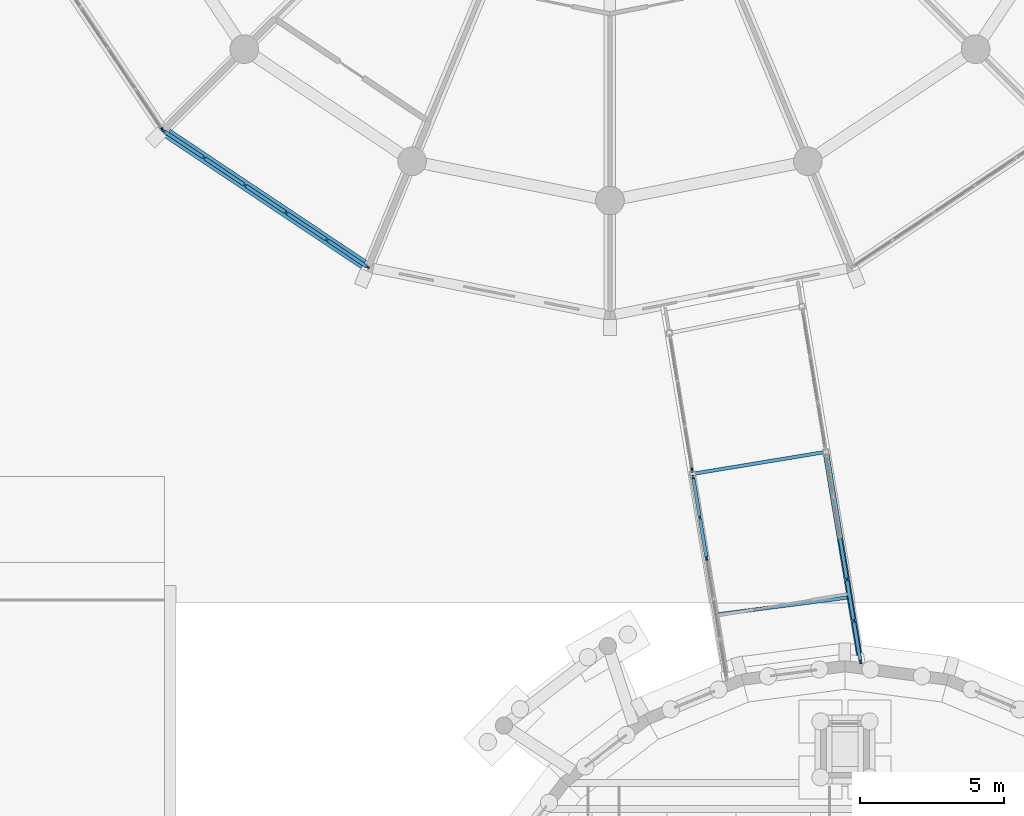
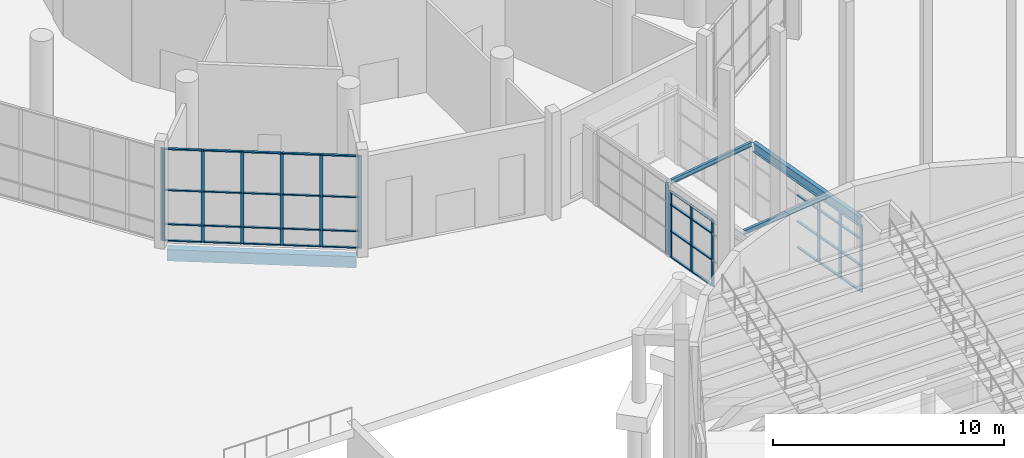
# One storey, part 61 of 226: 54 members, 4 beams, 5 elements without a shape of their own.
"""IFC4 building model written with IfcOpenShell, lengths in metres."""

from ifc_helpers import new_model, si_unit, direction, frame, origin, origin_2d, place, context, subcontext, project, spatial, rectangle, i_section, extrude, material, material_profile, profile_set, type_object, element, aggregate, save


model = new_model("IFC4")

# Units and contexts
model_context = context("Model", 3, precision=1e-05, world=origin(), true_north=direction((0.0, 1.0)))
body_context = subcontext(model_context, "Body", "Model", "MODEL_VIEW")
ifc_project = project(units=[si_unit("LENGTHUNIT", "METRE"), si_unit("AREAUNIT", "SQUARE_METRE"), si_unit("VOLUMEUNIT", "CUBIC_METRE"), si_unit("PLANEANGLEUNIT", "RADIAN"), si_unit("MASSUNIT", "GRAM", prefix="KILO")], contexts=[model_context])

# Site, building, storey
site_placement = place(None, origin())
site = spatial("IfcSite", under=ifc_project, at=site_placement, CompositionType="ELEMENT")
building_placement = place(site_placement, origin())
building = spatial("IfcBuilding", under=site, at=building_placement, Name="Ceibo Conservatory and Research Tower", CompositionType="ELEMENT")
storey_placement = place(building_placement, origin())
storey = spatial("IfcBuildingStorey", under=building, at=storey_placement, Name="L00", CompositionType="ELEMENT", Elevation=0.0)

# Curtain wall, member
ifc_material_1 = material(Name="Aluminium and glass", Category="aluminium")
curtain_wall_type_1 = type_object("IfcCurtainWallType", Name="Curtain wall CW1", PredefinedType="NOTDEFINED", material=ifc_material_1)
curtain_wall_1_placement = place(storey_placement, origin())
curtain_wall_1 = element("IfcCurtainWall", 1, at=curtain_wall_1_placement, inside=storey, type_object=curtain_wall_type_1, Name="CW-00.10", PredefinedType="NOTDEFINED")
ifc_material_2 = material(Name="Aluminium", Category="aluminium")
ifc_material_profile_1 = material_profile(ifc_material_2, rectangle(XDim=0.06005859375, YDim=0.159912109375, at=origin_2d()), Name="Aluminium 60 x 160")
ifc_profile_set_1 = profile_set([ifc_material_profile_1], Name="Aluminium")
member_type_1 = type_object("IfcMemberType", Name="Aluminium mullion 60 x 160", PredefinedType="MULLION", material=ifc_profile_set_1)
member_1_placement = place(storey_placement, frame((32.427001953125, 104.468505859375, 0.0), z_axis=(0.0, 0.0, 1.0), x_axis=(0.831469562724, 0.555570307219, 0.0)))
member_1 = element("IfcMember", 2, at=member_1_placement, type_object=member_type_1, Name="CW-00.10 mullion 6", PredefinedType="MULLION", context=body_context, shape_type="SweptSolid", body=[
    extrude(rectangle(XDim=0.06005859375, YDim=0.159912109375, at=origin_2d()), origin(), (0.0, 0.0, 1.0), 4.89990234375),
])
aggregate(curtain_wall_1, [member_1])

# Curtain wall, members
curtain_wall_2_placement = place(storey_placement, origin())
curtain_wall_2 = element("IfcCurtainWall", 3, at=curtain_wall_2_placement, inside=storey, type_object=curtain_wall_type_1, Name="CW-00.11", PredefinedType="NOTDEFINED")
member_2_placement = place(storey_placement, frame((32.468505859375, 104.427001953125, 0.0), z_axis=(0.0, 0.0, 1.0), x_axis=(0.555570307219, 0.831469562724, 0.0)))
member_2 = element("IfcMember", 4, at=member_2_placement, type_object=member_type_1, Name="CW-00.11 mullion 1", PredefinedType="MULLION", context=body_context, shape_type="SweptSolid", body=[
    extrude(rectangle(XDim=0.06005859375, YDim=0.159912109375, at=origin_2d()), origin(), (0.0, 0.0, 1.0), 4.89990234375),
])
member_3_placement = place(storey_placement, frame((33.87109375, 103.48974609375, 0.0), z_axis=(0.0, 0.0, 1.0), x_axis=(0.555570307219, 0.831469562724, 0.0)))
member_3 = element("IfcMember", 5, at=member_3_placement, type_object=member_type_1, Name="CW-00.11 mullion 2", PredefinedType="MULLION", context=body_context, shape_type="SweptSolid", body=[
    extrude(rectangle(XDim=0.06005859375, YDim=0.159912109375, at=origin_2d()), origin(), (0.0, 0.0, 1.0), 4.89990234375),
])
member_4_placement = place(storey_placement, frame((35.298583984375, 102.5361328125, 0.0), z_axis=(0.0, 0.0, 1.0), x_axis=(0.555570307219, 0.831469562724, 0.0)))
member_4 = element("IfcMember", 6, at=member_4_placement, type_object=member_type_1, Name="CW-00.11 mullion 3", PredefinedType="MULLION", context=body_context, shape_type="SweptSolid", body=[
    extrude(rectangle(XDim=0.06005859375, YDim=0.159912109375, at=origin_2d()), origin(), (0.0, 0.0, 1.0), 4.89990234375),
])
member_5_placement = place(storey_placement, frame((36.72607421875, 101.582275390625, 0.0), z_axis=(0.0, 0.0, 1.0), x_axis=(0.555570307219, 0.831469562724, 0.0)))
member_5 = element("IfcMember", 7, at=member_5_placement, type_object=member_type_1, Name="CW-00.11 mullion 4", PredefinedType="MULLION", context=body_context, shape_type="SweptSolid", body=[
    extrude(rectangle(XDim=0.06005859375, YDim=0.159912109375, at=origin_2d()), origin(), (0.0, 0.0, 1.0), 4.89990234375),
])
member_6_placement = place(storey_placement, frame((38.153564453125, 100.62841796875, 0.0), z_axis=(0.0, 0.0, 1.0), x_axis=(0.555570307219, 0.831469562724, 0.0)))
member_6 = element("IfcMember", 8, at=member_6_placement, type_object=member_type_1, Name="CW-00.11 mullion 5", PredefinedType="MULLION", context=body_context, shape_type="SweptSolid", body=[
    extrude(rectangle(XDim=0.06005859375, YDim=0.159912109375, at=origin_2d()), origin(), (0.0, 0.0, 1.0), 4.89990234375),
])
member_7_placement = place(storey_placement, frame((39.555908203125, 99.69140625, 0.0), z_axis=(0.0, 0.0, 1.0), x_axis=(0.555570307219, 0.831469562724, 0.0)))
member_7 = element("IfcMember", 9, at=member_7_placement, type_object=member_type_1, Name="CW-00.11 mullion 6", PredefinedType="MULLION", context=body_context, shape_type="SweptSolid", body=[
    extrude(rectangle(XDim=0.06005859375, YDim=0.159912109375, at=origin_2d()), origin(), (0.0, 0.0, 1.0), 4.89990234375),
])
ifc_material_profile_2 = material_profile(ifc_material_2, rectangle(XDim=0.1201171875, YDim=0.06005859375, at=origin_2d()), Name="Aluminium 60 x 120")
ifc_profile_set_2 = profile_set([ifc_material_profile_2], Name="Aluminium")
member_type_2 = type_object("IfcMemberType", Name="Aluminium transom 60 x 120", PredefinedType="USERDEFINED", material=ifc_profile_set_2)
member_8_placement = place(storey_placement, frame((32.49365234375, 104.410400390625, 0.030029296875), z_axis=(0.831449482525, -0.555600358179, 0.0), x_axis=(0.555600358179, 0.831449482525, 0.0)))
member_8 = element("IfcMember", 10, at=member_8_placement, type_object=member_type_2, Name="CW-00.11 transom 1.1", ObjectType="TRANSOM", PredefinedType="USERDEFINED", context=body_context, shape_type="SweptSolid", body=[
    extrude(rectangle(XDim=0.1201171875, YDim=0.06005859375, at=origin_2d()), origin(), (0.0, 0.0, 1.0), 1.626708984375),
])
member_9_placement = place(storey_placement, frame((32.49365234375, 104.410400390625, 0.89990234375), z_axis=(0.831449482525, -0.555600358179, 0.0), x_axis=(0.555600358179, 0.831449482525, 0.0)))
member_9 = element("IfcMember", 11, at=member_9_placement, type_object=member_type_2, Name="CW-00.11 transom 1.2", ObjectType="TRANSOM", PredefinedType="USERDEFINED", context=body_context, shape_type="SweptSolid", body=[
    extrude(rectangle(XDim=0.1201171875, YDim=0.06005859375, at=origin_2d()), origin(), (0.0, 0.0, 1.0), 1.626708984375),
])
member_10_placement = place(storey_placement, frame((32.49365234375, 104.410400390625, 2.699951171875), z_axis=(0.831449482525, -0.555600358179, 0.0), x_axis=(0.555600358179, 0.831449482525, 0.0)))
member_10 = element("IfcMember", 12, at=member_10_placement, type_object=member_type_2, Name="CW-00.11 transom 1.3", ObjectType="TRANSOM", PredefinedType="USERDEFINED", context=body_context, shape_type="SweptSolid", body=[
    extrude(rectangle(XDim=0.1201171875, YDim=0.06005859375, at=origin_2d()), origin(), (0.0, 0.0, 1.0), 1.626708984375),
])
member_11_placement = place(storey_placement, frame((32.49365234375, 104.410400390625, 4.8701171875), z_axis=(0.831449482525, -0.555600358179, 0.0), x_axis=(0.555600358179, 0.831449482525, 0.0)))
member_11 = element("IfcMember", 13, at=member_11_placement, type_object=member_type_2, Name="CW-00.11 transom 1.4", ObjectType="TRANSOM", PredefinedType="USERDEFINED", context=body_context, shape_type="SweptSolid", body=[
    extrude(rectangle(XDim=0.1201171875, YDim=0.06005859375, at=origin_2d()), origin(), (0.0, 0.0, 1.0), 1.626708984375),
])
member_12_placement = place(storey_placement, frame((33.89599609375, 103.47314453125, 0.030029296875), z_axis=(0.831505826173, -0.555516031308, 0.0), x_axis=(0.555516031308, 0.831505826173, 0.0)))
member_12 = element("IfcMember", 14, at=member_12_placement, type_object=member_type_2, Name="CW-00.11 transom 2.1", ObjectType="TRANSOM", PredefinedType="USERDEFINED", context=body_context, shape_type="SweptSolid", body=[
    extrude(rectangle(XDim=0.1201171875, YDim=0.06005859375, at=origin_2d()), origin(), (0.0, 0.0, 1.0), 1.65673828125),
])
member_13_placement = place(storey_placement, frame((33.89599609375, 103.47314453125, 0.89990234375), z_axis=(0.831505826173, -0.555516031308, 0.0), x_axis=(0.555516031308, 0.831505826173, 0.0)))
member_13 = element("IfcMember", 15, at=member_13_placement, type_object=member_type_2, Name="CW-00.11 transom 2.2", ObjectType="TRANSOM", PredefinedType="USERDEFINED", context=body_context, shape_type="SweptSolid", body=[
    extrude(rectangle(XDim=0.1201171875, YDim=0.06005859375, at=origin_2d()), origin(), (0.0, 0.0, 1.0), 1.65673828125),
])
member_14_placement = place(storey_placement, frame((33.89599609375, 103.47314453125, 2.699951171875), z_axis=(0.831505826173, -0.555516031308, 0.0), x_axis=(0.555516031308, 0.831505826173, 0.0)))
member_14 = element("IfcMember", 16, at=member_14_placement, type_object=member_type_2, Name="CW-00.11 transom 2.3", ObjectType="TRANSOM", PredefinedType="USERDEFINED", context=body_context, shape_type="SweptSolid", body=[
    extrude(rectangle(XDim=0.1201171875, YDim=0.06005859375, at=origin_2d()), origin(), (0.0, 0.0, 1.0), 1.65673828125),
])
member_15_placement = place(storey_placement, frame((33.89599609375, 103.47314453125, 4.8701171875), z_axis=(0.831505826173, -0.555516031308, 0.0), x_axis=(0.555516031308, 0.831505826173, 0.0)))
member_15 = element("IfcMember", 17, at=member_15_placement, type_object=member_type_2, Name="CW-00.11 transom 2.4", ObjectType="TRANSOM", PredefinedType="USERDEFINED", context=body_context, shape_type="SweptSolid", body=[
    extrude(rectangle(XDim=0.1201171875, YDim=0.06005859375, at=origin_2d()), origin(), (0.0, 0.0, 1.0), 1.65673828125),
])
member_16_placement = place(storey_placement, frame((35.323486328125, 102.519287109375, 0.030029296875), z_axis=(0.831505826173, -0.555516031308, 0.0), x_axis=(0.555516031308, 0.831505826173, 0.0)))
member_16 = element("IfcMember", 18, at=member_16_placement, type_object=member_type_2, Name="CW-00.11 transom 3.1", ObjectType="TRANSOM", PredefinedType="USERDEFINED", context=body_context, shape_type="SweptSolid", body=[
    extrude(rectangle(XDim=0.1201171875, YDim=0.06005859375, at=origin_2d()), origin(), (0.0, 0.0, 1.0), 1.65673828125),
])
member_17_placement = place(storey_placement, frame((35.323486328125, 102.519287109375, 0.89990234375), z_axis=(0.831505826173, -0.555516031308, 0.0), x_axis=(0.555516031308, 0.831505826173, 0.0)))
member_17 = element("IfcMember", 19, at=member_17_placement, type_object=member_type_2, Name="CW-00.11 transom 3.2", ObjectType="TRANSOM", PredefinedType="USERDEFINED", context=body_context, shape_type="SweptSolid", body=[
    extrude(rectangle(XDim=0.1201171875, YDim=0.06005859375, at=origin_2d()), origin(), (0.0, 0.0, 1.0), 1.65673828125),
])
member_18_placement = place(storey_placement, frame((35.323486328125, 102.519287109375, 2.699951171875), z_axis=(0.831505826173, -0.555516031308, 0.0), x_axis=(0.555516031308, 0.831505826173, 0.0)))
member_18 = element("IfcMember", 20, at=member_18_placement, type_object=member_type_2, Name="CW-00.11 transom 3.3", ObjectType="TRANSOM", PredefinedType="USERDEFINED", context=body_context, shape_type="SweptSolid", body=[
    extrude(rectangle(XDim=0.1201171875, YDim=0.06005859375, at=origin_2d()), origin(), (0.0, 0.0, 1.0), 1.65673828125),
])
member_19_placement = place(storey_placement, frame((35.323486328125, 102.519287109375, 4.8701171875), z_axis=(0.831505826173, -0.555516031308, 0.0), x_axis=(0.555516031308, 0.831505826173, 0.0)))
member_19 = element("IfcMember", 21, at=member_19_placement, type_object=member_type_2, Name="CW-00.11 transom 3.4", ObjectType="TRANSOM", PredefinedType="USERDEFINED", context=body_context, shape_type="SweptSolid", body=[
    extrude(rectangle(XDim=0.1201171875, YDim=0.06005859375, at=origin_2d()), origin(), (0.0, 0.0, 1.0), 1.65673828125),
])
member_20_placement = place(storey_placement, frame((36.7509765625, 101.565673828125, 0.030029296875), z_axis=(0.831437761556, -0.555617898073, 0.0), x_axis=(0.555617898073, 0.831437761556, 0.0)))
member_20 = element("IfcMember", 22, at=member_20_placement, type_object=member_type_2, Name="CW-00.11 transom 4.1", ObjectType="TRANSOM", PredefinedType="USERDEFINED", context=body_context, shape_type="SweptSolid", body=[
    extrude(rectangle(XDim=0.1201171875, YDim=0.06005859375, at=origin_2d()), origin(), (0.0, 0.0, 1.0), 1.656982421875),
])
member_21_placement = place(storey_placement, frame((36.7509765625, 101.565673828125, 0.89990234375), z_axis=(0.831437761556, -0.555617898073, 0.0), x_axis=(0.555617898073, 0.831437761556, 0.0)))
member_21 = element("IfcMember", 23, at=member_21_placement, type_object=member_type_2, Name="CW-00.11 transom 4.2", ObjectType="TRANSOM", PredefinedType="USERDEFINED", context=body_context, shape_type="SweptSolid", body=[
    extrude(rectangle(XDim=0.1201171875, YDim=0.06005859375, at=origin_2d()), origin(), (0.0, 0.0, 1.0), 1.656982421875),
])
member_22_placement = place(storey_placement, frame((36.7509765625, 101.565673828125, 2.699951171875), z_axis=(0.831437761556, -0.555617898073, 0.0), x_axis=(0.555617898073, 0.831437761556, 0.0)))
member_22 = element("IfcMember", 24, at=member_22_placement, type_object=member_type_2, Name="CW-00.11 transom 4.3", ObjectType="TRANSOM", PredefinedType="USERDEFINED", context=body_context, shape_type="SweptSolid", body=[
    extrude(rectangle(XDim=0.1201171875, YDim=0.06005859375, at=origin_2d()), origin(), (0.0, 0.0, 1.0), 1.656982421875),
])
member_23_placement = place(storey_placement, frame((36.7509765625, 101.565673828125, 4.8701171875), z_axis=(0.831437761556, -0.555617898073, 0.0), x_axis=(0.555617898073, 0.831437761556, 0.0)))
member_23 = element("IfcMember", 25, at=member_23_placement, type_object=member_type_2, Name="CW-00.11 transom 4.4", ObjectType="TRANSOM", PredefinedType="USERDEFINED", context=body_context, shape_type="SweptSolid", body=[
    extrude(rectangle(XDim=0.1201171875, YDim=0.06005859375, at=origin_2d()), origin(), (0.0, 0.0, 1.0), 1.656982421875),
])
member_24_placement = place(storey_placement, frame((38.178466796875, 100.61181640625, 0.030029296875), z_axis=(0.831449482525, -0.555600358179, 0.0), x_axis=(0.555600358179, 0.831449482525, 0.0)))
member_24 = element("IfcMember", 26, at=member_24_placement, type_object=member_type_2, Name="CW-00.11 transom 5.1", ObjectType="TRANSOM", PredefinedType="USERDEFINED", context=body_context, shape_type="SweptSolid", body=[
    extrude(rectangle(XDim=0.1201171875, YDim=0.06005859375, at=origin_2d()), origin(), (0.0, 0.0, 1.0), 1.626708984375),
])
member_25_placement = place(storey_placement, frame((38.178466796875, 100.61181640625, 0.89990234375), z_axis=(0.831449482525, -0.555600358179, 0.0), x_axis=(0.555600358179, 0.831449482525, 0.0)))
member_25 = element("IfcMember", 27, at=member_25_placement, type_object=member_type_2, Name="CW-00.11 transom 5.2", ObjectType="TRANSOM", PredefinedType="USERDEFINED", context=body_context, shape_type="SweptSolid", body=[
    extrude(rectangle(XDim=0.1201171875, YDim=0.06005859375, at=origin_2d()), origin(), (0.0, 0.0, 1.0), 1.626708984375),
])
member_26_placement = place(storey_placement, frame((38.178466796875, 100.61181640625, 2.699951171875), z_axis=(0.831449482525, -0.555600358179, 0.0), x_axis=(0.555600358179, 0.831449482525, 0.0)))
member_26 = element("IfcMember", 28, at=member_26_placement, type_object=member_type_2, Name="CW-00.11 transom 5.3", ObjectType="TRANSOM", PredefinedType="USERDEFINED", context=body_context, shape_type="SweptSolid", body=[
    extrude(rectangle(XDim=0.1201171875, YDim=0.06005859375, at=origin_2d()), origin(), (0.0, 0.0, 1.0), 1.626708984375),
])
member_27_placement = place(storey_placement, frame((38.178466796875, 100.61181640625, 4.8701171875), z_axis=(0.831449482525, -0.555600358179, 0.0), x_axis=(0.555600358179, 0.831449482525, 0.0)))
member_27 = element("IfcMember", 29, at=member_27_placement, type_object=member_type_2, Name="CW-00.11 transom 5.4", ObjectType="TRANSOM", PredefinedType="USERDEFINED", context=body_context, shape_type="SweptSolid", body=[
    extrude(rectangle(XDim=0.1201171875, YDim=0.06005859375, at=origin_2d()), origin(), (0.0, 0.0, 1.0), 1.626708984375),
])
aggregate(curtain_wall_2, [member_2, member_3, member_4, member_5, member_6, member_7, member_8, member_9, member_10, member_11, member_12, member_13, member_14, member_15, member_16, member_17, member_18, member_19, member_20, member_21, member_22, member_23, member_24, member_25, member_26, member_27])

curtain_wall_type_2 = type_object("IfcCurtainWallType", Name="Gallery curtain wall", PredefinedType="NOTDEFINED", material=ifc_material_1)
curtain_wall_3_placement = place(storey_placement, origin())
curtain_wall_3 = element("IfcCurtainWall", 30, at=curtain_wall_3_placement, inside=storey, type_object=curtain_wall_type_2, Name="Gallery curtain wall RT-AUD-CWN02", PredefinedType="NOTDEFINED")
ifc_material_profile_3 = material_profile(ifc_material_2, rectangle(XDim=0.06005859375, YDim=0.159912109375, at=origin_2d()), Name="AL 60x160")
ifc_profile_set_3 = profile_set([ifc_material_profile_3], Name="Aluminium")
member_type_3 = type_object("IfcMemberType", Name="Gallery mullion 60x160", PredefinedType="MULLION", material=ifc_profile_set_3)
member_28_placement = place(storey_placement, frame((56.245361328125, 88.819091796875, 0.0), z_axis=(0.0, 0.0, 1.0), x_axis=(0.986643339139, 0.162895430671, 0.0)))
member_28 = element("IfcMember", 31, at=member_28_placement, type_object=member_type_3, Name="RT-AUD-CWN02 mullion 4", PredefinedType="MULLION", context=body_context, shape_type="SweptSolid", body=[
    extrude(rectangle(XDim=0.06005859375, YDim=0.159912109375, at=origin_2d()), origin(), (0.0, 0.0, 1.0), 3.5),
])
member_29_placement = place(storey_placement, frame((56.48388671875, 87.373779296875, 0.0), z_axis=(0.0, 0.0, 1.0), x_axis=(0.986643339139, 0.162895430671, 0.0)))
member_29 = element("IfcMember", 32, at=member_29_placement, type_object=member_type_3, Name="RT-AUD-CWN02 mullion 5", PredefinedType="MULLION", context=body_context, shape_type="SweptSolid", body=[
    extrude(rectangle(XDim=0.06005859375, YDim=0.159912109375, at=origin_2d()), origin(), (0.0, 0.0, 1.0), 3.5),
])
member_30_placement = place(storey_placement, frame((56.7177734375, 85.958251953125, 0.0), z_axis=(0.0, 0.0, 1.0), x_axis=(0.986643339139, 0.162895430671, 0.0)))
member_30 = element("IfcMember", 33, at=member_30_placement, type_object=member_type_3, Name="RT-AUD-CWN02 mullion 6", PredefinedType="MULLION", context=body_context, shape_type="SweptSolid", body=[
    extrude(rectangle(XDim=0.06005859375, YDim=0.159912109375, at=origin_2d()), origin(), (0.0, 0.0, 1.0), 3.5),
])

# Curtain wall, member
curtain_wall_4_placement = place(storey_placement, origin())
curtain_wall_4 = element("IfcCurtainWall", 34, at=curtain_wall_4_placement, inside=storey, type_object=curtain_wall_type_2, Name="Gallery curtain wall RT-AUD-CWS01", PredefinedType="NOTDEFINED")
member_31_placement = place(storey_placement, frame((50.8544921875, 92.617431640625, 0.0), z_axis=(0.0, 0.0, 1.0), x_axis=(0.986643339139, 0.162895430671, 0.0)))
member_31 = element("IfcMember", 35, at=member_31_placement, type_object=member_type_3, Name="RT-AUD-CWS01 mullion 4", PredefinedType="MULLION", context=body_context, shape_type="SweptSolid", body=[
    extrude(rectangle(XDim=0.06005859375, YDim=0.159912109375, at=origin_2d()), origin(), (0.0, 0.0, 1.0), 3.800048828125),
])
aggregate(curtain_wall_4, [member_31])

# Curtain wall, members
curtain_wall_5_placement = place(storey_placement, origin())
curtain_wall_5 = element("IfcCurtainWall", 36, at=curtain_wall_5_placement, inside=storey, type_object=curtain_wall_type_2, Name="Gallery curtain wall RT-AUD-CWS02", PredefinedType="NOTDEFINED")
member_32_placement = place(storey_placement, frame((50.89697265625, 92.361083984375, 0.0), z_axis=(0.0, 0.0, 1.0), x_axis=(0.986643339139, 0.162895430671, 0.0)))
member_32 = element("IfcMember", 37, at=member_32_placement, type_object=member_type_3, Name="RT-AUD-CWS02 mullion 1", PredefinedType="MULLION", context=body_context, shape_type="SweptSolid", body=[
    extrude(rectangle(XDim=0.06005859375, YDim=0.159912109375, at=origin_2d()), origin(), (0.0, 0.0, 1.0), 3.5),
])
member_33_placement = place(storey_placement, frame((51.125732421875, 90.975830078125, 0.0), z_axis=(0.0, 0.0, 1.0), x_axis=(0.986643339139, 0.162895430671, 0.0)))
member_33 = element("IfcMember", 38, at=member_33_placement, type_object=member_type_3, Name="RT-AUD-CWS02 mullion 2", PredefinedType="MULLION", context=body_context, shape_type="SweptSolid", body=[
    extrude(rectangle(XDim=0.06005859375, YDim=0.159912109375, at=origin_2d()), origin(), (0.0, 0.0, 1.0), 3.5),
])
member_34_placement = place(storey_placement, frame((51.359130859375, 89.561279296875, 0.0), z_axis=(0.0, 0.0, 1.0), x_axis=(0.986643339139, 0.162895430671, 0.0)))
member_34 = element("IfcMember", 39, at=member_34_placement, type_object=member_type_3, Name="RT-AUD-CWS02 mullion 3", PredefinedType="MULLION", context=body_context, shape_type="SweptSolid", body=[
    extrude(rectangle(XDim=0.06005859375, YDim=0.159912109375, at=origin_2d()), origin(), (0.0, 0.0, 1.0), 3.5),
])

# Member
ifc_material_profile_4 = material_profile(ifc_material_2, rectangle(XDim=0.1201171875, YDim=0.06005859375, at=origin_2d()), Name="AL 60x120")
ifc_profile_set_4 = profile_set([ifc_material_profile_4], Name="Aluminium")
member_type_4 = type_object("IfcMemberType", Name="Gallery transom 60x120", PredefinedType="USERDEFINED", material=ifc_profile_set_4)
member_35_placement = place(storey_placement, frame((56.01171875, 90.23486328125, 0.030029296875), z_axis=(0.162820774106, -0.986655662083, 0.0), x_axis=(0.986655662083, 0.162820774106, 0.0)))
member_35 = element("IfcMember", 40, at=member_35_placement, type_object=member_type_4, Name="RT-AUD-CWN02 transom 3.1", ObjectType="TRANSOM", PredefinedType="USERDEFINED", context=body_context, shape_type="SweptSolid", body=[
    extrude(rectangle(XDim=0.1201171875, YDim=0.06005859375, at=origin_2d()), origin(), (0.0, 0.0, 1.0), 1.405029296875),
])

member_36_placement = place(storey_placement, frame((56.01171875, 90.23486328125, 1.39990234375), z_axis=(0.162820774106, -0.986655662083, 0.0), x_axis=(0.986655662083, 0.162820774106, 0.0)))
member_36 = element("IfcMember", 41, at=member_36_placement, type_object=member_type_4, Name="RT-AUD-CWN02 transom 3.2", ObjectType="TRANSOM", PredefinedType="USERDEFINED", context=body_context, shape_type="SweptSolid", body=[
    extrude(rectangle(XDim=0.1201171875, YDim=0.06005859375, at=origin_2d()), origin(), (0.0, 0.0, 1.0), 1.405029296875),
])

member_37_placement = place(storey_placement, frame((56.01171875, 90.23486328125, 2.800048828125), z_axis=(0.162820774106, -0.986655662083, 0.0), x_axis=(0.986655662083, 0.162820774106, 0.0)))
member_37 = element("IfcMember", 42, at=member_37_placement, type_object=member_type_4, Name="RT-AUD-CWN02 transom 3.3", ObjectType="TRANSOM", PredefinedType="USERDEFINED", context=body_context, shape_type="SweptSolid", body=[
    extrude(rectangle(XDim=0.1201171875, YDim=0.06005859375, at=origin_2d()), origin(), (0.0, 0.0, 1.0), 1.405029296875),
])

member_38_placement = place(storey_placement, frame((56.01171875, 90.23486328125, 3.469970703125), z_axis=(0.162820774106, -0.986655662083, 0.0), x_axis=(0.986655662083, 0.162820774106, 0.0)))
member_38 = element("IfcMember", 43, at=member_38_placement, type_object=member_type_4, Name="RT-AUD-CWN02 transom 3.4", ObjectType="TRANSOM", PredefinedType="USERDEFINED", context=body_context, shape_type="SweptSolid", body=[
    extrude(rectangle(XDim=0.1201171875, YDim=0.06005859375, at=origin_2d()), origin(), (0.0, 0.0, 1.0), 1.405029296875),
])

member_39_placement = place(storey_placement, frame((56.250244140625, 88.78955078125, 0.030029296875), z_axis=(0.162848694343, -0.986651054198, 0.0), x_axis=(0.986651054198, 0.162848694343, 0.0)))
member_39 = element("IfcMember", 44, at=member_39_placement, type_object=member_type_4, Name="RT-AUD-CWN02 transom 4.1", ObjectType="TRANSOM", PredefinedType="USERDEFINED", context=body_context, shape_type="SweptSolid", body=[
    extrude(rectangle(XDim=0.1201171875, YDim=0.06005859375, at=origin_2d()), origin(), (0.0, 0.0, 1.0), 1.40478515625),
])

member_40_placement = place(storey_placement, frame((56.250244140625, 88.78955078125, 1.39990234375), z_axis=(0.162848694343, -0.986651054198, 0.0), x_axis=(0.986651054198, 0.162848694343, 0.0)))
member_40 = element("IfcMember", 45, at=member_40_placement, type_object=member_type_4, Name="RT-AUD-CWN02 transom 4.2", ObjectType="TRANSOM", PredefinedType="USERDEFINED", context=body_context, shape_type="SweptSolid", body=[
    extrude(rectangle(XDim=0.1201171875, YDim=0.06005859375, at=origin_2d()), origin(), (0.0, 0.0, 1.0), 1.40478515625),
])

member_41_placement = place(storey_placement, frame((56.250244140625, 88.78955078125, 2.800048828125), z_axis=(0.162848694343, -0.986651054198, 0.0), x_axis=(0.986651054198, 0.162848694343, 0.0)))
member_41 = element("IfcMember", 46, at=member_41_placement, type_object=member_type_4, Name="RT-AUD-CWN02 transom 4.3", ObjectType="TRANSOM", PredefinedType="USERDEFINED", context=body_context, shape_type="SweptSolid", body=[
    extrude(rectangle(XDim=0.1201171875, YDim=0.06005859375, at=origin_2d()), origin(), (0.0, 0.0, 1.0), 1.40478515625),
])

member_42_placement = place(storey_placement, frame((56.250244140625, 88.78955078125, 3.469970703125), z_axis=(0.162848694343, -0.986651054198, 0.0), x_axis=(0.986651054198, 0.162848694343, 0.0)))
member_42 = element("IfcMember", 47, at=member_42_placement, type_object=member_type_4, Name="RT-AUD-CWN02 transom 4.4", ObjectType="TRANSOM", PredefinedType="USERDEFINED", context=body_context, shape_type="SweptSolid", body=[
    extrude(rectangle(XDim=0.1201171875, YDim=0.06005859375, at=origin_2d()), origin(), (0.0, 0.0, 1.0), 1.40478515625),
])

member_43_placement = place(storey_placement, frame((56.48876953125, 87.34423828125, 0.030029296875), z_axis=(0.163016597197, -0.986623326827, 0.0), x_axis=(0.986623326827, 0.163016597197, 0.0)))
member_43 = element("IfcMember", 48, at=member_43_placement, type_object=member_type_4, Name="RT-AUD-CWN02 transom 5.1", ObjectType="TRANSOM", PredefinedType="USERDEFINED", context=body_context, shape_type="SweptSolid", body=[
    extrude(rectangle(XDim=0.1201171875, YDim=0.06005859375, at=origin_2d()), origin(), (0.0, 0.0, 1.0), 1.374755859375),
])

member_44_placement = place(storey_placement, frame((56.48876953125, 87.34423828125, 1.39990234375), z_axis=(0.163016597197, -0.986623326827, 0.0), x_axis=(0.986623326827, 0.163016597197, 0.0)))
member_44 = element("IfcMember", 49, at=member_44_placement, type_object=member_type_4, Name="RT-AUD-CWN02 transom 5.2", ObjectType="TRANSOM", PredefinedType="USERDEFINED", context=body_context, shape_type="SweptSolid", body=[
    extrude(rectangle(XDim=0.1201171875, YDim=0.06005859375, at=origin_2d()), origin(), (0.0, 0.0, 1.0), 1.374755859375),
])

member_45_placement = place(storey_placement, frame((56.48876953125, 87.34423828125, 2.800048828125), z_axis=(0.163016597197, -0.986623326827, 0.0), x_axis=(0.986623326827, 0.163016597197, 0.0)))
member_45 = element("IfcMember", 50, at=member_45_placement, type_object=member_type_4, Name="RT-AUD-CWN02 transom 5.3", ObjectType="TRANSOM", PredefinedType="USERDEFINED", context=body_context, shape_type="SweptSolid", body=[
    extrude(rectangle(XDim=0.1201171875, YDim=0.06005859375, at=origin_2d()), origin(), (0.0, 0.0, 1.0), 1.374755859375),
])

member_46_placement = place(storey_placement, frame((56.48876953125, 87.34423828125, 3.469970703125), z_axis=(0.163016597197, -0.986623326827, 0.0), x_axis=(0.986623326827, 0.163016597197, 0.0)))
member_46 = element("IfcMember", 51, at=member_46_placement, type_object=member_type_4, Name="RT-AUD-CWN02 transom 5.4", ObjectType="TRANSOM", PredefinedType="USERDEFINED", context=body_context, shape_type="SweptSolid", body=[
    extrude(rectangle(XDim=0.1201171875, YDim=0.06005859375, at=origin_2d()), origin(), (0.0, 0.0, 1.0), 1.374755859375),
])

aggregate(curtain_wall_3, [member_28, member_29, member_30, member_35, member_36, member_37, member_38, member_39, member_40, member_41, member_42, member_43, member_44, member_45, member_46])

member_47_placement = place(storey_placement, frame((50.90185546875, 92.331298828125, 0.030029296875), z_axis=(0.162984508203, -0.986628628252, 0.0), x_axis=(0.986628628252, 0.162984508203, 0.0)))
member_47 = element("IfcMember", 52, at=member_47_placement, type_object=member_type_4, Name="RT-AUD-CWS02 transom 1.1", ObjectType="TRANSOM", PredefinedType="USERDEFINED", context=body_context, shape_type="SweptSolid", body=[
    extrude(rectangle(XDim=0.1201171875, YDim=0.06005859375, at=origin_2d()), origin(), (0.0, 0.0, 1.0), 1.34375),
])

member_48_placement = place(storey_placement, frame((50.90185546875, 92.331298828125, 1.39990234375), z_axis=(0.162984508203, -0.986628628252, 0.0), x_axis=(0.986628628252, 0.162984508203, 0.0)))
member_48 = element("IfcMember", 53, at=member_48_placement, type_object=member_type_4, Name="RT-AUD-CWS02 transom 1.2", ObjectType="TRANSOM", PredefinedType="USERDEFINED", context=body_context, shape_type="SweptSolid", body=[
    extrude(rectangle(XDim=0.1201171875, YDim=0.06005859375, at=origin_2d()), origin(), (0.0, 0.0, 1.0), 1.34375),
])

member_49_placement = place(storey_placement, frame((50.90185546875, 92.331298828125, 2.800048828125), z_axis=(0.162984508203, -0.986628628252, 0.0), x_axis=(0.986628628252, 0.162984508203, 0.0)))
member_49 = element("IfcMember", 54, at=member_49_placement, type_object=member_type_4, Name="RT-AUD-CWS02 transom 1.3", ObjectType="TRANSOM", PredefinedType="USERDEFINED", context=body_context, shape_type="SweptSolid", body=[
    extrude(rectangle(XDim=0.1201171875, YDim=0.06005859375, at=origin_2d()), origin(), (0.0, 0.0, 1.0), 1.34375),
])

member_50_placement = place(storey_placement, frame((50.90185546875, 92.331298828125, 3.469970703125), z_axis=(0.162984508203, -0.986628628252, 0.0), x_axis=(0.986628628252, 0.162984508203, 0.0)))
member_50 = element("IfcMember", 55, at=member_50_placement, type_object=member_type_4, Name="RT-AUD-CWS02 transom 1.4", ObjectType="TRANSOM", PredefinedType="USERDEFINED", context=body_context, shape_type="SweptSolid", body=[
    extrude(rectangle(XDim=0.1201171875, YDim=0.06005859375, at=origin_2d()), origin(), (0.0, 0.0, 1.0), 1.34375),
])

member_51_placement = place(storey_placement, frame((51.130615234375, 90.9462890625, 0.030029296875), z_axis=(0.162784942752, -0.986661574408, 0.0), x_axis=(0.986661574408, 0.162784942752, 0.0)))
member_51 = element("IfcMember", 56, at=member_51_placement, type_object=member_type_4, Name="RT-AUD-CWS02 transom 2.1", ObjectType="TRANSOM", PredefinedType="USERDEFINED", context=body_context, shape_type="SweptSolid", body=[
    extrude(rectangle(XDim=0.1201171875, YDim=0.06005859375, at=origin_2d()), origin(), (0.0, 0.0, 1.0), 1.373779296875),
])

member_52_placement = place(storey_placement, frame((51.130615234375, 90.9462890625, 1.39990234375), z_axis=(0.162784942752, -0.986661574408, 0.0), x_axis=(0.986661574408, 0.162784942752, 0.0)))
member_52 = element("IfcMember", 57, at=member_52_placement, type_object=member_type_4, Name="RT-AUD-CWS02 transom 2.2", ObjectType="TRANSOM", PredefinedType="USERDEFINED", context=body_context, shape_type="SweptSolid", body=[
    extrude(rectangle(XDim=0.1201171875, YDim=0.06005859375, at=origin_2d()), origin(), (0.0, 0.0, 1.0), 1.373779296875),
])

member_53_placement = place(storey_placement, frame((51.130615234375, 90.9462890625, 2.800048828125), z_axis=(0.162784942752, -0.986661574408, 0.0), x_axis=(0.986661574408, 0.162784942752, 0.0)))
member_53 = element("IfcMember", 58, at=member_53_placement, type_object=member_type_4, Name="RT-AUD-CWS02 transom 2.3", ObjectType="TRANSOM", PredefinedType="USERDEFINED", context=body_context, shape_type="SweptSolid", body=[
    extrude(rectangle(XDim=0.1201171875, YDim=0.06005859375, at=origin_2d()), origin(), (0.0, 0.0, 1.0), 1.373779296875),
])

member_54_placement = place(storey_placement, frame((51.130615234375, 90.9462890625, 3.469970703125), z_axis=(0.162784942752, -0.986661574408, 0.0), x_axis=(0.986661574408, 0.162784942752, 0.0)))
member_54 = element("IfcMember", 59, at=member_54_placement, type_object=member_type_4, Name="RT-AUD-CWS02 transom 2.4", ObjectType="TRANSOM", PredefinedType="USERDEFINED", context=body_context, shape_type="SweptSolid", body=[
    extrude(rectangle(XDim=0.1201171875, YDim=0.06005859375, at=origin_2d()), origin(), (0.0, 0.0, 1.0), 1.373779296875),
])

aggregate(curtain_wall_5, [member_32, member_33, member_34, member_47, member_48, member_49, member_50, member_51, member_52, member_53, member_54])

# Beams
ifc_material_3 = material(Name="Steel S355J2", Category="steel")
ifc_material_profile_5 = material_profile(ifc_material_3, i_section(OverallWidth=0.1201171875, OverallDepth=0.239990234375, WebThickness=0.006103515625, FlangeThickness=0.009765625, at=origin_2d()), Name="IPE 240")
ifc_profile_set_5 = profile_set([ifc_material_profile_5], Name="Steel S355J2")
beam_type_1 = type_object("IfcBeamType", Name="IPE 240 roof beam", PredefinedType="BEAM", material=ifc_profile_set_5)
beam_1_placement = place(storey_placement, frame((55.41943359375, 93.238037109375, 3.8798828125), z_axis=(-0.986689316262, -0.162616706318, 0.0), x_axis=(0.162616706318, -0.986689316262, 0.0)))
element("IfcBeam", 60, at=beam_1_placement, inside=storey, type_object=beam_type_1, Name="Gallery roof beam RT-AUD-RB02", PredefinedType="BEAM", context=body_context, shape_type="SweptSolid", body=[
    extrude(i_section(OverallWidth=0.1201171875, OverallDepth=0.239990234375, WebThickness=0.006103515625, FlangeThickness=0.009765625, at=origin_2d()), origin(), (0.0, 0.0, 1.0), 4.510009765625),
])
beam_2_placement = place(storey_placement, frame((56.254150390625, 88.182373046875, 3.8798828125), z_axis=(-0.991696374541, -0.128601324729, 0.0), x_axis=(0.128601324729, -0.991696374541, 0.0)))
element("IfcBeam", 61, at=beam_2_placement, inside=storey, type_object=beam_type_1, Name="Gallery roof beam RT-AUD-RB03", PredefinedType="BEAM", context=body_context, shape_type="SweptSolid", body=[
    extrude(i_section(OverallWidth=0.1201171875, OverallDepth=0.239990234375, WebThickness=0.006103515625, FlangeThickness=0.009765625, at=origin_2d()), origin(), (0.0, 0.0, 1.0), 4.512451171875),
])
ifc_material_profile_6 = material_profile(ifc_material_3, i_section(OverallWidth=0.199951171875, OverallDepth=0.5, WebThickness=0.01025390625, FlangeThickness=0.01611328125, at=origin_2d()), Name="IPE 500")
ifc_profile_set_6 = profile_set([ifc_material_profile_6], Name="Steel S355J2")
beam_type_2 = type_object("IfcBeamType", Name="IPE 500 roof girder", PredefinedType="BEAM", material=ifc_profile_set_6)
beam_3_placement = place(storey_placement, frame((55.528564453125, 93.159912109375, 3.75), z_axis=(0.162908959841, -0.986641105369, 0.0), x_axis=(0.986641105369, 0.162908959841, 0.0)))
element("IfcBeam", 62, at=beam_3_placement, inside=storey, type_object=beam_type_2, Name="Gallery roof girder RT-AUD-GRN02", PredefinedType="BEAM", context=body_context, shape_type="SweptSolid", body=[
    extrude(i_section(OverallWidth=0.199951171875, OverallDepth=0.5, WebThickness=0.01025390625, FlangeThickness=0.01611328125, at=origin_2d()), origin(), (0.0, 0.0, 1.0), 7.334228515625),
])
ifc_material_4 = material(Name="Concrete C35/45", Category="concrete")
ifc_material_profile_7 = material_profile(ifc_material_4, rectangle(XDim=0.35009765625, YDim=0.60009765625, at=origin_2d()), Name="RC 350x600")
ifc_profile_set_7 = profile_set([ifc_material_profile_7], Name="Concrete C35/45")
beam_type_3 = type_object("IfcBeamType", Name="RC beam 350x600 C35", PredefinedType="BEAM", material=ifc_profile_set_7)
beam_4_placement = place(storey_placement, frame((32.5966796875, 104.341552734375, -0.64990234375), z_axis=(0.831460092327, -0.555584480406, 0.0), x_axis=(0.555584480406, 0.831460092327, 0.0)))
element("IfcBeam", 63, at=beam_4_placement, inside=storey, type_object=beam_type_3, Name="Edge beam 11 L00", PredefinedType="BEAM", context=body_context, shape_type="SweptSolid", body=[
    extrude(rectangle(XDim=0.35009765625, YDim=0.60009765625, at=origin_2d()), origin(), (0.0, 0.0, 1.0), 8.216064453125),
])

save(model, "model.ifc")
